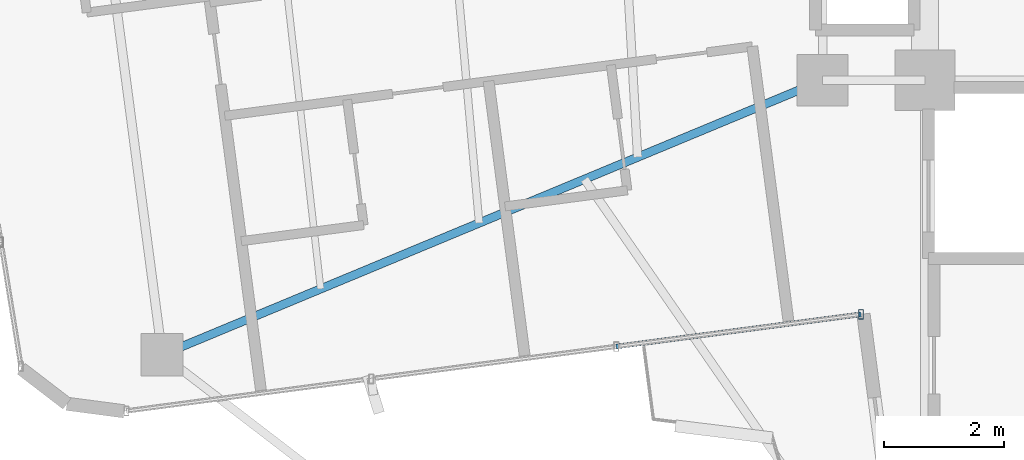
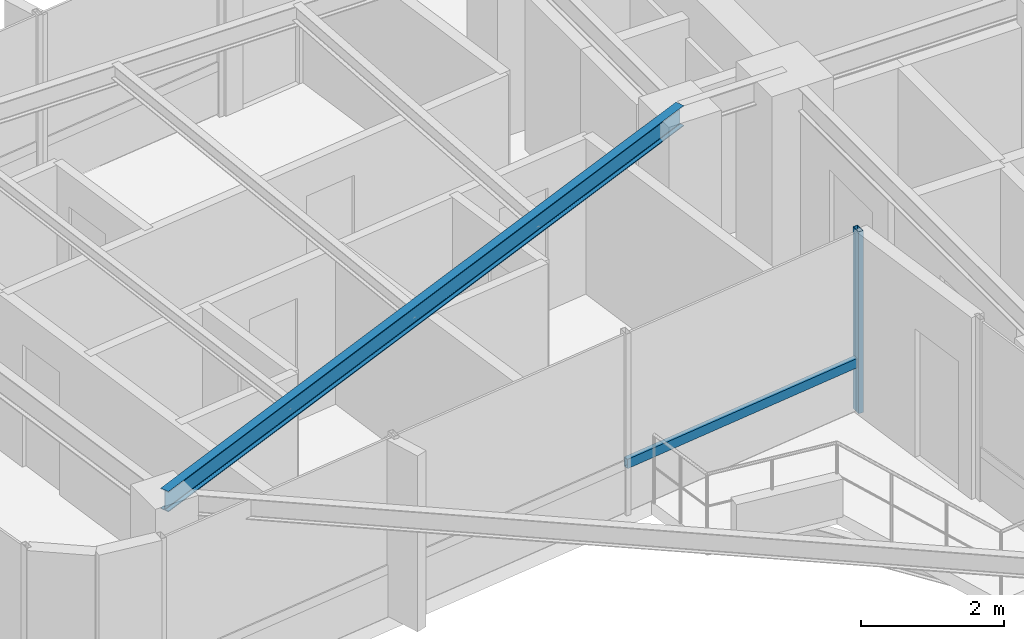
# One storey, part 3 of 22: 2 members, 1 beam, 1 element without a shape of its own.
"""IFC4 building model written with IfcOpenShell, lengths in metres."""

from ifc_helpers import new_model, si_unit, direction, frame, origin, origin_2d, place, context, subcontext, project, spatial, hollow_rectangle, i_section, extrude, source, transform, mapped, material, material_profile, profile_set, type_object, element, aggregate, save


model = new_model("IFC4")

# Units and contexts
model_context = context("Model", 3, precision=1e-05, world=origin(), true_north=direction((0.0, 1.0)))
body_context = subcontext(model_context, "Body", "Model", "MODEL_VIEW")
ifc_project = project(units=[si_unit("LENGTHUNIT", "METRE"), si_unit("AREAUNIT", "SQUARE_METRE"), si_unit("VOLUMEUNIT", "CUBIC_METRE"), si_unit("PLANEANGLEUNIT", "RADIAN"), si_unit("MASSUNIT", "GRAM", prefix="KILO")], contexts=[model_context])

# Site, building, storey
site_placement = place(None, origin())
site = spatial("IfcSite", under=ifc_project, at=site_placement, CompositionType="ELEMENT")
building_placement = place(site_placement, origin())
building = spatial("IfcBuilding", under=site, at=building_placement, Name="Sahyath Konkavel Grand Hotel", CompositionType="ELEMENT")
storey_placement = place(building_placement, frame((0.0, 0.0, 257.89990234375)))
storey = spatial("IfcBuildingStorey", under=building, at=storey_placement, Name="L72", CompositionType="ELEMENT", Elevation=257.89990234375)

# Beam
ifc_material_1 = material(Name="Steel E350", Category="steel")
ifc_material_profile_1 = material_profile(ifc_material_1, i_section(OverallWidth=0.139892578125, OverallDepth=0.35009765625, WebThickness=0.008056640625, FlangeThickness=0.01416015625, FilletRadius=0.013916015625, at=origin_2d()), Name="ISMB 350")
ifc_profile_set_1 = profile_set([ifc_material_profile_1], Name="Steel E350")
beam_type = type_object("IfcBeamType", Name="BM-ISMB350", PredefinedType="BEAM", material=ifc_profile_set_1)
shared_shape_1 = source(origin(), body_context, "Body", "SweptSolid", [
    extrude(i_section(OverallWidth=0.139892578125, OverallDepth=0.35009765625, WebThickness=0.008056640625, FlangeThickness=0.01416015625, FilletRadius=0.013916015625, at=origin_2d()), origin(), (0.0, 0.0, 1.0), 11.882080078125),
])
beam_placement = place(storey_placement, frame((-5.5, -2.39990234375, 2.93505859375), z_axis=(-0.923435785797, -0.383752979804, 0.0), x_axis=(0.383752979804, -0.923435785797, 0.0)))
element("IfcBeam", 1, at=beam_placement, inside=storey, type_object=beam_type, Name="L72 Cruciform Radial Girder WB", PredefinedType="BEAM", context=body_context, shape_type="MappedRepresentation", body=[
    mapped(shared_shape_1, transform((0.0, 0.0, 0.0), scale=1.0)),
])

# Curtain wall, members
ifc_material_2 = material(Name="Anodised Bronze Aluminium & Low-E Glazing", Category="aluminium")
curtain_wall_type = type_object("IfcCurtainWallType", Name="CW-ZONE4", PredefinedType="NOTDEFINED", material=ifc_material_2)
curtain_wall_placement = place(storey_placement, origin())
curtain_wall = element("IfcCurtainWall", 2, at=curtain_wall_placement, inside=storey, type_object=curtain_wall_type, Name="L72 Unitised Curtain Wall F23", PredefinedType="NOTDEFINED")
ifc_material_3 = material(Name="Anodised Bronze Aluminium", Category="aluminium")
ifc_material_profile_2 = material_profile(ifc_material_3, hollow_rectangle(XDim=0.080078125, YDim=0.159912109375, WallThickness=0.006103515625, at=origin_2d()), Name="RHS 160x80x6")
ifc_profile_set_2 = profile_set([ifc_material_profile_2], Name="Anodised Bronze Aluminium")
member_type_1 = type_object("IfcMemberType", Name="CW-MUL-160", PredefinedType="MULLION", material=ifc_profile_set_2)
shared_shape_2 = source(origin(), body_context, "Body", "SweptSolid", [
    extrude(hollow_rectangle(XDim=0.080078125, YDim=0.159912109375, WallThickness=0.006103515625, at=origin_2d()), origin(), (0.0, 0.0, 1.0), 3.110107421875),
])
member_1_placement = place(storey_placement, frame((-4.86083984375, -6.2880859375, 0.0), z_axis=(0.0, 0.0, 1.0), x_axis=(1.0, 0.0, 0.0)))
member_1 = element("IfcMember", 3, at=member_1_placement, type_object=member_type_1, Name="L72 Curtain Wall Mullion F23-3", PredefinedType="MULLION", context=body_context, shape_type="MappedRepresentation", body=[
    mapped(shared_shape_2, transform((0.0, 0.0, 0.0), scale=1.0)),
])
ifc_material_profile_3 = material_profile(ifc_material_3, hollow_rectangle(XDim=0.080078125, YDim=0.159912109375, WallThickness=0.006103515625, at=origin_2d()), Name="RHS 160x80x6")
ifc_profile_set_3 = profile_set([ifc_material_profile_3], Name="Anodised Bronze Aluminium")
member_type_2 = type_object("IfcMemberType", Name="CW-TRN-160", PredefinedType="USERDEFINED", material=ifc_profile_set_3)
shared_shape_3 = source(origin(), body_context, "Body", "SweptSolid", [
    extrude(hollow_rectangle(XDim=0.080078125, YDim=0.159912109375, WallThickness=0.006103515625, at=origin_2d()), origin(), (0.0, 0.0, 1.0), 4.103271484375),
])
member_2_placement = place(storey_placement, frame((-8.928955078125, -6.82373046875, 0.85009765625), z_axis=(0.991442748161, 0.130542242661, 0.0), x_axis=(-0.130542242661, 0.991442748161, 0.0)))
member_2 = element("IfcMember", 4, at=member_2_placement, type_object=member_type_2, Name="L72 Curtain Wall Transom F23-2-spandrel", ObjectType="TRANSOM", PredefinedType="USERDEFINED", context=body_context, shape_type="MappedRepresentation", body=[
    mapped(shared_shape_3, transform((0.0, 0.0, 0.0), scale=1.0)),
])
aggregate(curtain_wall, [member_1, member_2])

save(model, "model.ifc")
